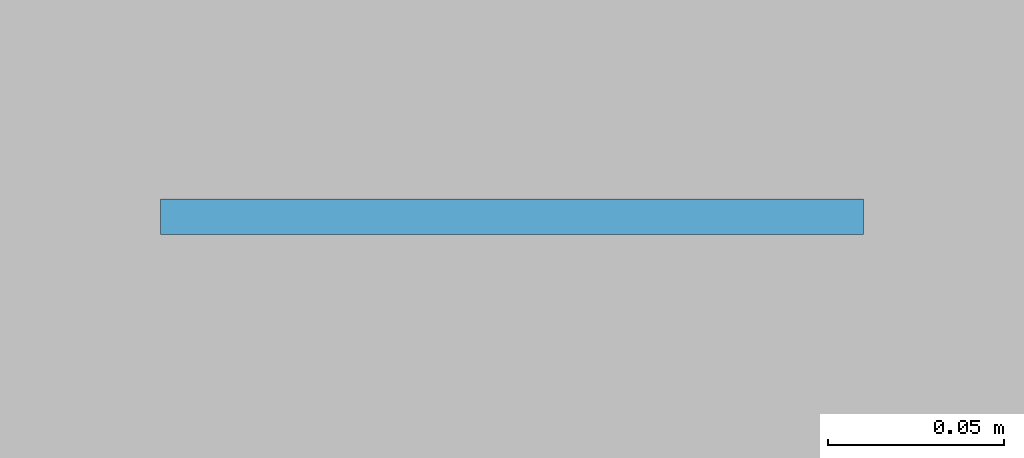
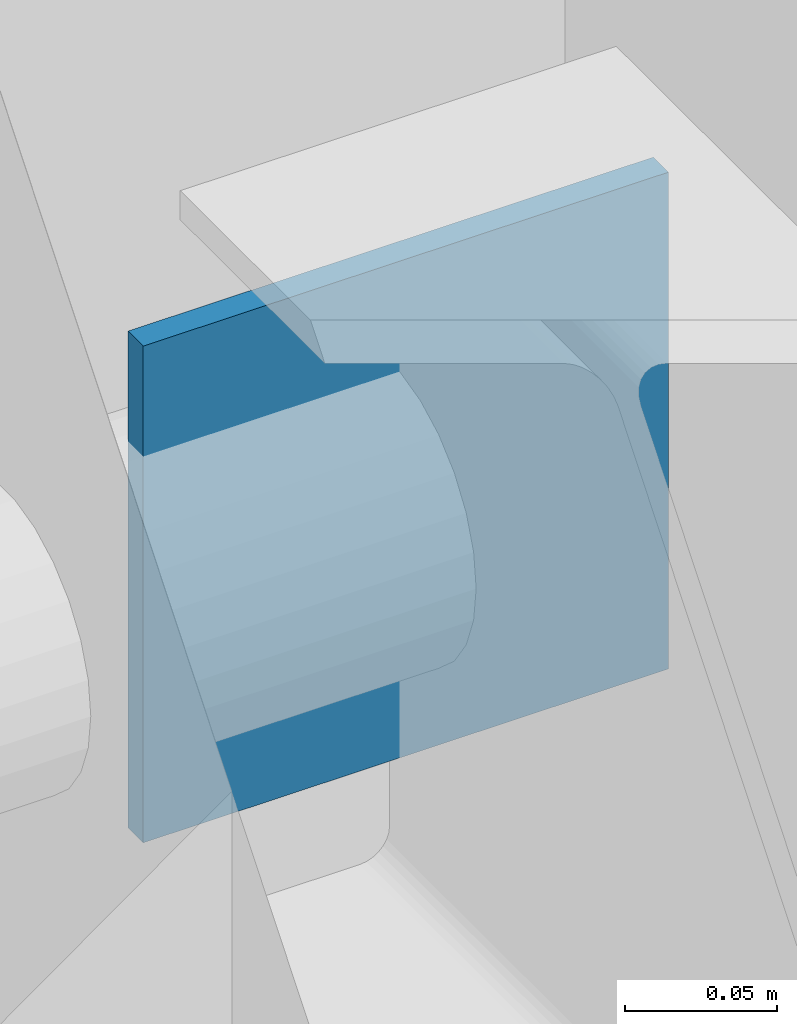
# One storey, part 48 of 59: 1 discrete accessory.
"""IFC4 building model written with IfcOpenShell, lengths in metres."""

from ifc_helpers import new_model, si_unit, direction, frame, origin, origin_2d, place, context, subcontext, project, spatial, rectangle, extrude, material, type_object, element, save


model = new_model("IFC4")

# Units and contexts
model_context = context("Model", 3, precision=1e-05, world=origin(), true_north=direction((0.0, 1.0)))
body_context = subcontext(model_context, "Body", "Model", "MODEL_VIEW")
ifc_project = project(units=[si_unit("LENGTHUNIT", "METRE"), si_unit("AREAUNIT", "SQUARE_METRE"), si_unit("VOLUMEUNIT", "CUBIC_METRE"), si_unit("PLANEANGLEUNIT", "RADIAN"), si_unit("MASSUNIT", "GRAM", prefix="KILO")], contexts=[model_context])

# Site, building, storey
site_placement = place(None, origin())
site = spatial("IfcSite", under=ifc_project, at=site_placement, CompositionType="ELEMENT")
building_placement = place(site_placement, origin())
building = spatial("IfcBuilding", under=site, at=building_placement, Name="Hortulan Conservatory and Botanical Research Centre", CompositionType="ELEMENT")
storey_placement = place(building_placement, frame((0.0, 0.0, 10.5)))
storey = spatial("IfcBuildingStorey", under=building, at=storey_placement, Name="L02", CompositionType="ELEMENT", Elevation=10.5)

# Discrete accessory
ifc_material = material(Name="Steel Grade 300 plate (AS/NZS 3678, 280 MPa minimum yield)", Category="steel")
discrete_accessory_type = type_object("IfcDiscreteAccessoryType", Name="End Plate 200x10", PredefinedType="BRACKET", material=ifc_material)
discrete_accessory_placement = place(storey_placement, frame((108.0, 72.0, 3.39990234375), z_axis=(0.0, 0.0, 1.0), x_axis=(1.0, 0.0, 0.0)))
element("IfcDiscreteAccessory", 1, at=discrete_accessory_placement, inside=storey, type_object=discrete_accessory_type, Name="Strut end plate", PredefinedType="BRACKET", context=body_context, shape_type="SweptSolid", body=[
    extrude(rectangle(XDim=0.199951171875, YDim=0.010009765625, at=origin_2d()), origin(), (0.0, 0.0, 1.0), 0.199951171875),
])

save(model, "model.ifc")
